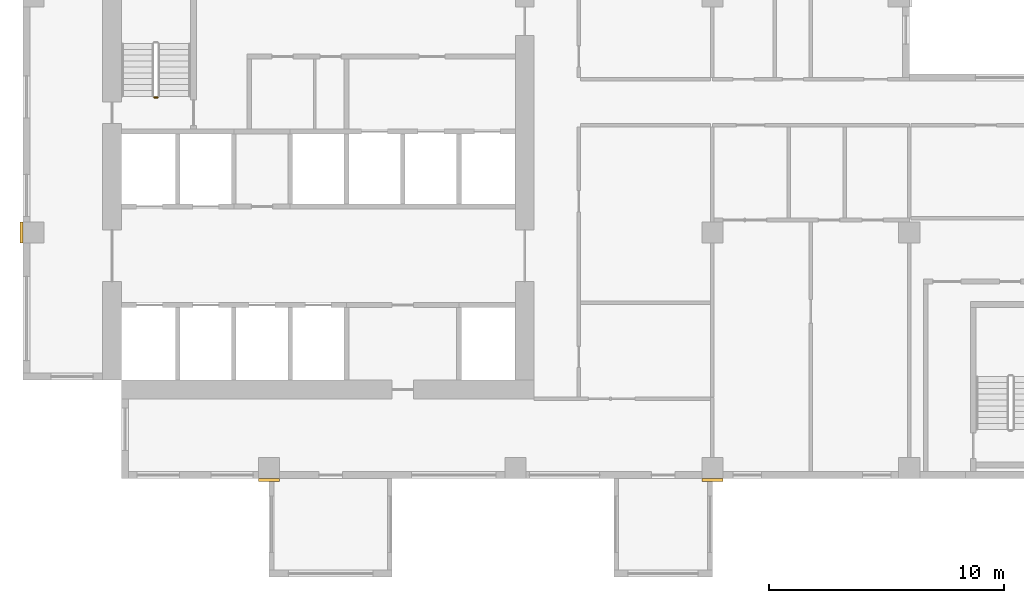
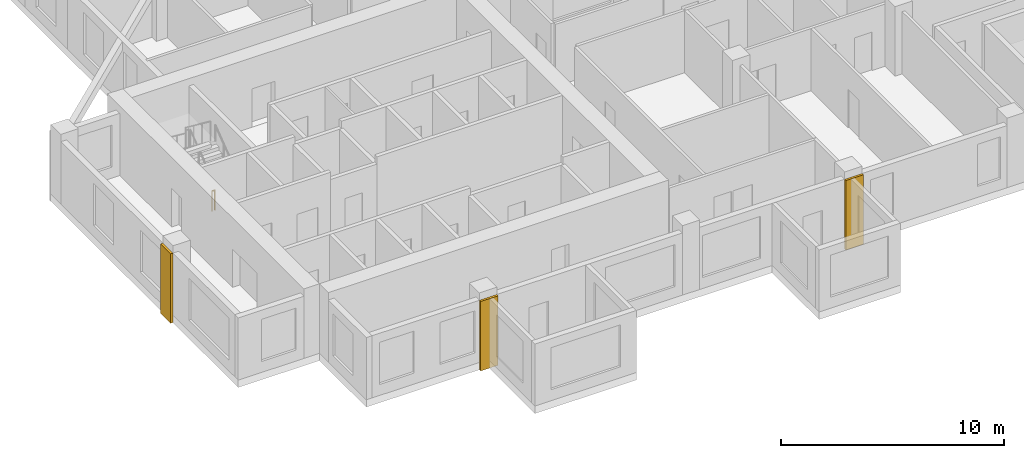
# One storey, part 9 of 12: 3 coverings, 1 railing.
"""IFC4 building model written with IfcOpenShell, lengths in metres."""

from ifc_helpers import new_model, si_unit, direction, frame, origin, origin_2d, place, context, subcontext, project, spatial, rectangle, circle, extrude, source, transform, mapped, material, type_object, element, save


model = new_model("IFC4")

# Units and contexts
model_context = context("Model", 3, precision=1e-05, world=origin(), true_north=direction((0.0, 1.0)))
body_context = subcontext(model_context, "Body", "Model", "MODEL_VIEW")
ifc_project = project(units=[si_unit("LENGTHUNIT", "METRE"), si_unit("AREAUNIT", "SQUARE_METRE"), si_unit("VOLUMEUNIT", "CUBIC_METRE"), si_unit("PLANEANGLEUNIT", "RADIAN"), si_unit("MASSUNIT", "GRAM", prefix="KILO")], contexts=[model_context])

# Site, building, storey
site_placement = place(None, origin())
site = spatial("IfcSite", under=ifc_project, at=site_placement, CompositionType="ELEMENT")
building_placement = place(site_placement, origin())
building = spatial("IfcBuilding", under=site, at=building_placement, Name="Aurelian Terraces", CompositionType="ELEMENT")
storey_placement = place(building_placement, frame((0.0, 0.0, 181.6)))
storey = spatial("IfcBuildingStorey", under=building, at=storey_placement, Name="L39", CompositionType="ELEMENT", Elevation=181.6)

# Coverings
ifc_material_1 = material(Name="Terracotta rainscreen cladding relief", Category="masonry")
covering_type = type_object("IfcCoveringType", Name="BAGUETTE-TC", PredefinedType="CLADDING", material=ifc_material_1)
shared_shape_1 = source(origin(), body_context, "Body", "SweptSolid", [
    extrude(rectangle(XDim=0.9, YDim=0.12, at=origin_2d()), origin(), (0.0, 0.0, 1.0), 3.8),
])
for number, where, z_axis, x_axis, name in (
    (1, (10.5, -0.06, -0.4), (0.0, 0.0, 1.0), (1.0, 0.0, 0.0), "BAGUETTE pier L39 1"),
    (2, (29.4, -0.06, -0.4), (0.0, 0.0, 1.0), (1.0, 0.0, 0.0), "BAGUETTE pier L39 2"),
):
    element("IfcCovering", number, at=place(storey_placement, frame(where, z_axis=z_axis, x_axis=x_axis)), inside=storey, type_object=covering_type, Name=name, PredefinedType="CLADDING", context=body_context, shape_type="MappedRepresentation", body=[
        mapped(shared_shape_1, transform((0.0, 0.0, 0.0), scale=1.0)),
    ])
shared_shape_2 = source(origin(), body_context, "Body", "SweptSolid", [
    extrude(rectangle(XDim=0.12, YDim=0.9, at=origin_2d()), origin(), (0.0, 0.0, 1.0), 3.8),
])
covering_placement = place(storey_placement, frame((-0.06, 10.5, -0.4), z_axis=(0.0, 0.0, 1.0), x_axis=(1.0, 0.0, 0.0)))
element("IfcCovering", 3, at=covering_placement, inside=storey, type_object=covering_type, Name="BAGUETTE pier L39 4", PredefinedType="CLADDING", context=body_context, shape_type="MappedRepresentation", body=[
    mapped(shared_shape_2, transform((0.0, 0.0, 0.0), scale=1.0)),
])

# Railing
ifc_material_2 = material(Name="Stainless steel", Category="steel")
railing_type = type_object("IfcRailingType", Name="Stair guard 1100", PredefinedType="GUARDRAIL", material=ifc_material_2)
shared_shape_3 = source(origin(), body_context, "Body", "SweptSolid", [
    extrude(circle(Radius=0.024, at=origin_2d()), frame((0.0, 0.0, 1.076), z_axis=(-1.0, 0.0, 0.0), x_axis=(0.0, -1.0, 0.0)), (0.0, 0.0, 1.0), 0.15),
    extrude(circle(Radius=0.021, at=origin_2d()), origin(), (0.0, 0.0, 1.0), 1.052),
    extrude(circle(Radius=0.021, at=origin_2d()), frame((-0.15, 0.0, 0.0)), (0.0, 0.0, 1.0), 1.052),
])
railing_placement = place(storey_placement, frame((5.75, 16.25, 0.0)))
element("IfcRailing", 4, at=railing_placement, inside=storey, type_object=railing_type, Name="L39 S1 stair guard 4", PredefinedType="GUARDRAIL", context=body_context, shape_type="MappedRepresentation", body=[
    mapped(shared_shape_3, transform((0.0, 0.0, 0.0), scale=1.0)),
])

save(model, "model.ifc")
